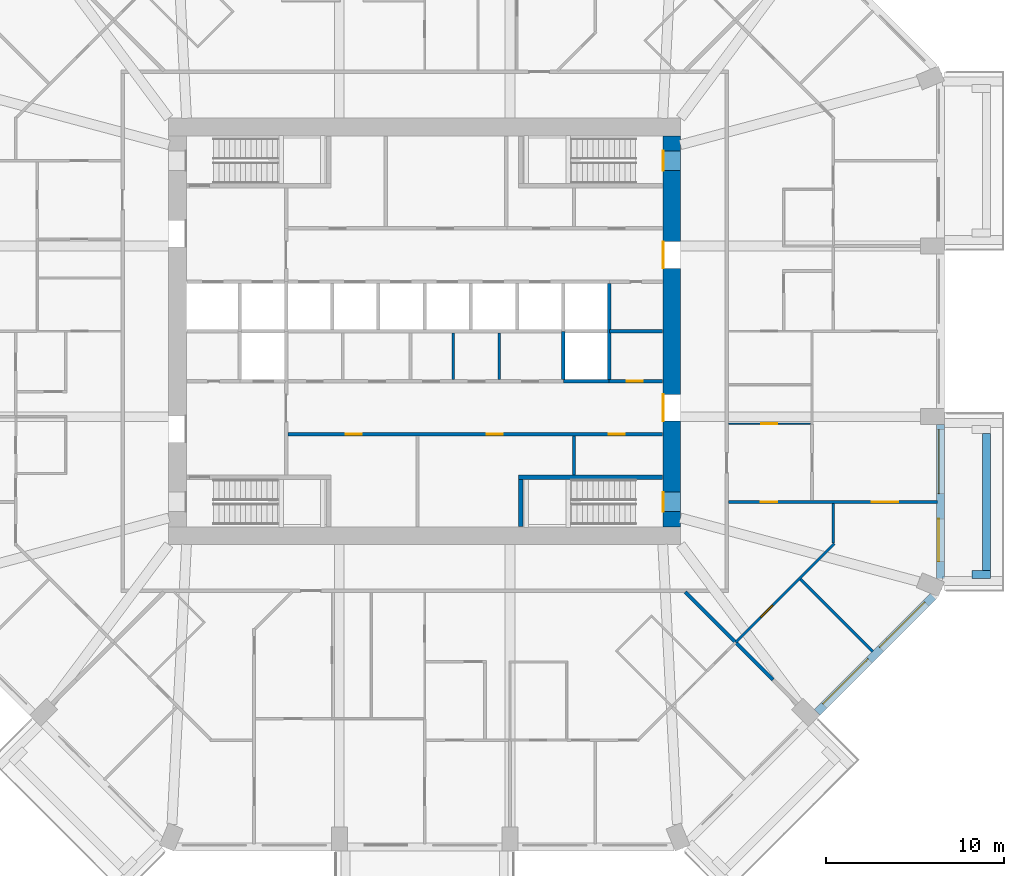
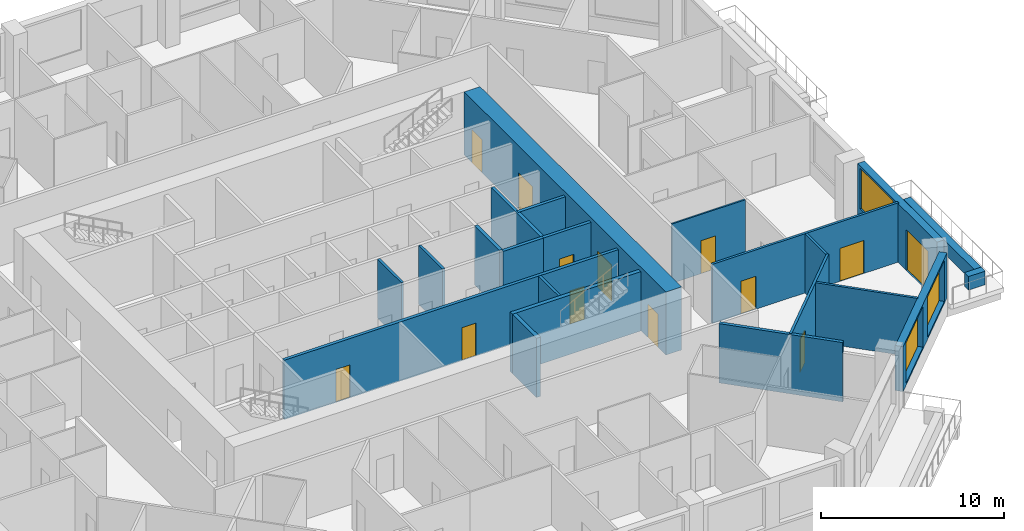
# One storey, part 6 of 13: 22 walls, 13 doors, 3 windows, 16 openings.
"""IFC4 building model written with IfcOpenShell, lengths in metres."""

import ifcopenshell
import ifcopenshell.guid

model = None  # the IFC model being written
_history = None  # IfcOwnerHistory: only IFC2X3 demands one
_inside = {}  # id of a spatial element -> (the spatial element, [elements in it])
_under = {}  # id of a project, library or spatial element -> (it, [spatial elements below it])
_declared = {}  # id of a project -> (the project, [libraries it declares])
_typed = {}  # id of a type object -> (the type object, [elements of that type])
_made_of = {}  # id of a material, layer set ... -> (it, [elements and type objects made of it])


def new_model(schema):
    """Start an empty IFC model of exactly this schema.

    Asked for "IFC4X3", IfcOpenShell would pick the latest addendum, in which some entities
    have other attributes; the version numbers below select the first issue.
    IFC2X3 requires an IfcOwnerHistory on every rooted entity: one is made here for all.
    """
    global model, _history
    if schema == "IFC4X3":
        model = ifcopenshell.file(schema_version=(4, 3, 0, 0))
    else:
        model = ifcopenshell.file(schema=schema)
    _inside.clear()
    _under.clear()
    _declared.clear()
    _typed.clear()
    _made_of.clear()
    _history = None
    if model.schema == "IFC2X3":
        org = make("IfcOrganization", Name="unknown")
        user = make(
            "IfcPersonAndOrganization",
            ThePerson=make("IfcPerson", FamilyName="unknown"),
            TheOrganization=org,
        )
        app = make(
            "IfcApplication",
            ApplicationDeveloper=org,
            Version="unknown",
            ApplicationFullName="unknown",
            ApplicationIdentifier="unknown",
        )
        _history = make(
            "IfcOwnerHistory",
            OwningUser=user,
            OwningApplication=app,
            ChangeAction="ADDED",
            CreationDate=0,
        )
    return model


def make(cls, **values):
    """One entity of the class cls with the attributes given. An attribute that is None is left unset."""
    return model.create_entity(
        cls, **{name: value for name, value in values.items() if value is not None}
    )


def rooted(cls, **values):
    """An entity with a GlobalId (a new one), such as an element, a storey or a relation."""
    return make(cls, GlobalId=ifcopenshell.guid.new(), OwnerHistory=_history, **values)


def si_unit(unit_type, name, prefix=None):
    """IfcSIUnit, for example si_unit("LENGTHUNIT", "METRE", prefix="MILLI")."""
    return make("IfcSIUnit", UnitType=unit_type, Prefix=prefix, Name=name)


def assignment(units):
    """IfcUnitAssignment: the units of a project."""
    return None if units is None else make("IfcUnitAssignment", Units=units)


def point(xyz):
    """IfcCartesianPoint."""
    return None if xyz is None else make("IfcCartesianPoint", Coordinates=xyz)


def direction(xyz):
    """IfcDirection."""
    return None if xyz is None else make("IfcDirection", DirectionRatios=xyz)


def frame(location, z_axis=None, x_axis=None):
    """IfcAxis2Placement3D, a coordinate frame: its origin and axes. An axis left out is left unset."""
    return make(
        "IfcAxis2Placement3D",
        Location=point(location),
        Axis=direction(z_axis),
        RefDirection=direction(x_axis),
    )


def frame_2d(location, x_axis=None):
    """IfcAxis2Placement2D, a coordinate frame in the plane: its origin and x axis."""
    return make(
        "IfcAxis2Placement2D", Location=point(location), RefDirection=direction(x_axis)
    )


def origin():
    """The frame at (0, 0, 0) with its axes left unset."""
    return frame((0.0, 0.0, 0.0))


def place(relative_to, where):
    """IfcLocalPlacement: puts the frame where relative to a parent placement (None: the world)."""
    return make(
        "IfcLocalPlacement", PlacementRelTo=relative_to, RelativePlacement=where
    )


def context(
    kind, dimensions, precision=None, world=None, true_north=None, identifier=None
):
    """IfcGeometricRepresentationContext, for example the 3D "Model" context."""
    return make(
        "IfcGeometricRepresentationContext",
        ContextIdentifier=identifier,
        ContextType=kind,
        CoordinateSpaceDimension=dimensions,
        Precision=precision,
        WorldCoordinateSystem=world,
        TrueNorth=true_north,
    )


def subcontext(parent, identifier, kind, view, scale=None):
    """IfcGeometricRepresentationSubContext, for example "Body" below "Model"."""
    return make(
        "IfcGeometricRepresentationSubContext",
        ContextIdentifier=identifier,
        ContextType=kind,
        ParentContext=parent,
        TargetScale=scale,
        TargetView=view,
    )


def project(units=None, contexts=None):
    """IfcProject with its units and contexts."""
    return rooted(
        "IfcProject",
        Name="project",
        RepresentationContexts=contexts,
        UnitsInContext=assignment(units),
    )


def spatial(cls, under=None, at=None, **own):
    """A site, building, storey or space (cls), placed at a placement, below another one or the project."""
    s = rooted(cls, ObjectPlacement=at, **own)
    if under is not None:
        _under.setdefault(under.id(), (under, []))[1].append(s)
    return s


def profile(cls, at=None, kind="AREA", **sizes):
    """A parametric profile (cls). Its sizes go by their IFC names, for example OverallWidth=200.0."""
    return make(cls, ProfileType=kind, Position=at, **sizes)


def rectangle(**sizes):
    """IfcRectangleProfileDef."""
    return profile("IfcRectangleProfileDef", **sizes)


def extrude(swept, where, along, depth):
    """IfcExtrudedAreaSolid: the profile swept, set in the frame where, extruded along a direction by depth."""
    return make(
        "IfcExtrudedAreaSolid",
        SweptArea=swept,
        Position=where,
        ExtrudedDirection=direction(along),
        Depth=depth,
    )


def shape(context_of_items, identifier, shape_type, items):
    """IfcShapeRepresentation: the items that make up one representation, for example the "Body"."""
    return make(
        "IfcShapeRepresentation",
        ContextOfItems=context_of_items,
        RepresentationIdentifier=identifier,
        RepresentationType=shape_type,
        Items=items,
    )


def material(Name=None, Category=None):
    """IfcMaterial."""
    return make("IfcMaterial", Name=Name, Category=Category)


def layer(
    of_material, thickness, ventilated=None, Name=None, Category=None, Priority=None
):
    """IfcMaterialLayer: one layer of a wall or slab, of a material (None: an air gap)."""
    return make(
        "IfcMaterialLayer",
        Material=of_material,
        LayerThickness=thickness,
        IsVentilated=ventilated,
        Name=Name,
        Category=Category,
        Priority=Priority,
    )


def layer_set(layers, Name=None):
    """IfcMaterialLayerSet."""
    return make("IfcMaterialLayerSet", MaterialLayers=layers, LayerSetName=Name)


def made_of(thing, what):
    """Note that an element or type object is made of a material, layer set ...; save() writes the relation."""
    if what is not None:
        _made_of.setdefault(what.id(), (what, []))[1].append(thing)
    return thing


def type_object(cls, material=None, **own):
    """A type object (cls), such as IfcWallType, which elements share."""
    return made_of(rooted(cls, **own), material)


def element(
    cls,
    number,
    at=None,
    inside=None,
    cuts=None,
    type_object=None,
    material=None,
    context=None,
    identifier="Body",
    shape_type=None,
    held_by="IfcProductDefinitionShape",
    body=None,
    shapes=None,
    **own,
):
    """One element of the class cls, such as IfcWall. Its Tag is "e" and its number.

    at: its placement. inside: the storey or other place that contains it. cuts: it is an
    opening in that element (IfcRelVoidsElement). A single representation is given by context,
    identifier, shape_type and body (its items); several are given by shapes. held_by: the class
    of the entity that holds the representations. save() writes the other relations.
    """
    e = rooted(cls, Tag="e%d" % number, ObjectPlacement=at, **own)
    if body is not None:
        shapes = [shape(context, identifier, shape_type, body)]
    if shapes is not None:
        e.Representation = make(held_by, Representations=shapes)
    if inside is not None:
        _inside.setdefault(inside.id(), (inside, []))[1].append(e)
    if cuts is not None:
        rooted(
            "IfcRelVoidsElement", RelatingBuildingElement=cuts, RelatedOpeningElement=e
        )
    if type_object is not None:
        _typed.setdefault(type_object.id(), (type_object, []))[1].append(e)
    return made_of(e, material)


def fill(opening, filler):
    """IfcRelFillsElement: the door or window that sits in an opening."""
    return rooted(
        "IfcRelFillsElement",
        RelatingOpeningElement=opening,
        RelatedBuildingElement=filler,
    )


def aggregate(whole, parts):
    """IfcRelAggregates: a whole, such as a stair, and the parts it consists of."""
    return rooted("IfcRelAggregates", RelatingObject=whole, RelatedObjects=parts)


def save(model, path):
    """Write the relations noted so far, then the file.

    IfcRelAggregates (storeys below a building ...), IfcRelContainedInSpatialStructure (elements
    in a storey), IfcRelDefinesByType, IfcRelAssociatesMaterial and IfcRelDeclares: one each for
    every whole, place, type object, material and project.
    """
    for whole, parts in _under.values():
        aggregate(whole, parts)
    for where, things in _inside.values():
        rooted(
            "IfcRelContainedInSpatialStructure",
            RelatedElements=things,
            RelatingStructure=where,
        )
    for kind, things in _typed.values():
        rooted("IfcRelDefinesByType", RelatedObjects=things, RelatingType=kind)
    for what, things in _made_of.values():
        rooted("IfcRelAssociatesMaterial", RelatedObjects=things, RelatingMaterial=what)
    for by, libraries in _declared.values():
        rooted("IfcRelDeclares", RelatingContext=by, RelatedDefinitions=libraries)
    model.write(path)


model = new_model("IFC4")

# Units and contexts
model_context = context("Model", 3, precision=1e-05, world=origin(), true_north=direction((0.0, 1.0)))
body_context = subcontext(model_context, "Body", "Model", "MODEL_VIEW")
ifc_project = project(units=[si_unit("LENGTHUNIT", "METRE"), si_unit("AREAUNIT", "SQUARE_METRE"), si_unit("VOLUMEUNIT", "CUBIC_METRE"), si_unit("PLANEANGLEUNIT", "RADIAN"), si_unit("MASSUNIT", "GRAM", prefix="KILO")], contexts=[model_context])

# Site, building, storey
site_placement = place(None, origin())
site = spatial("IfcSite", under=ifc_project, at=site_placement, CompositionType="ELEMENT")
building_placement = place(site_placement, origin())
building = spatial("IfcBuilding", under=site, at=building_placement, Name="Msitu Wima Residences", CompositionType="ELEMENT")
storey_placement = place(building_placement, frame((0.0, 0.0, 25.5)))
storey = spatial("IfcBuildingStorey", under=building, at=storey_placement, Name="L05", CompositionType="ELEMENT", Elevation=25.5)

# Walls
ifc_material_1 = material(Name="Facing brick")
ifc_layer_1 = layer(ifc_material_1, 0.06494140625, Name="Facing brick")
ifc_material_2 = material(Name="Concrete C40/50", Category="concrete")
ifc_layer_2 = layer(ifc_material_2, 0.156005859375, Name="Concrete C40/50")
ifc_material_3 = material(Name="Waterproofing membrane")
ifc_layer_3 = layer(ifc_material_3, 0.00390625, Name="Waterproofing membrane")
ifc_material_4 = material(Name="Planting soil and planting")
ifc_layer_4 = layer(ifc_material_4, 0.22509765625, Name="Planting soil and planting")
ifc_layer_set_1 = layer_set([ifc_layer_1, ifc_layer_2, ifc_layer_3, ifc_layer_4], Name="Concrete C40/50")
wall_type_1 = type_object("IfcWallType", Name="Balcony planter PLANTER PL450", PredefinedType="USERDEFINED", material=ifc_layer_set_1)
wall_1_placement = place(storey_placement, frame((31.625, -13.449951171875, 0.0), z_axis=(0.0, 0.0, 1.0), x_axis=(0.0, 1.0, 0.0)))
element("IfcWall", 1, at=wall_1_placement, inside=storey, type_object=wall_type_1, Name="Balcony planter E0 L05", ObjectType="PLANTER", PredefinedType="USERDEFINED", context=body_context, shape_type="SweptSolid", body=[
    extrude(rectangle(XDim=7.699951171875, YDim=0.449951171875, at=frame_2d((3.85009765625, 0.0))), origin(), (0.0, 0.0, 1.0), 0.89990234375),
])
wall_2_placement = place(storey_placement, frame((30.800048828125, -13.675048828125, 0.0), z_axis=(0.0, 0.0, 1.0), x_axis=(1.0, 0.0, 0.0)))
element("IfcWall", 2, at=wall_2_placement, inside=storey, type_object=wall_type_1, Name="Balcony planter E0 L05", ObjectType="PLANTER", PredefinedType="USERDEFINED", context=body_context, shape_type="SweptSolid", body=[
    extrude(rectangle(XDim=1.050048828125, YDim=0.449951171875, at=frame_2d((0.52490234375, 0.0))), origin(), (0.0, 0.0, 1.0), 0.89990234375),
])

# Wall, openings, door, window
ifc_material_5 = material(Name="Brick (red buff mix)", Category="masonry")
ifc_layer_5 = layer(ifc_material_5, 0.449951171875)
ifc_layer_set_2 = layer_set([ifc_layer_5], Name="Brick (red buff mix)")
wall_type_2 = type_object("IfcWallType", Name="Brick infill wall BW450", PredefinedType="SOLIDWALL", material=ifc_layer_set_2)
wall_3_placement = place(storey_placement, frame((29.02490234375, -13.912841796875, 0.0), z_axis=(0.0, 0.0, 1.0), x_axis=(0.0, 1.0, 0.0)))
wall_3 = element("IfcWall", 3, at=wall_3_placement, inside=storey, type_object=wall_type_2, Name="Brick infill wall L05 E0", PredefinedType="SOLIDWALL", context=body_context, shape_type="SweptSolid", body=[
    extrude(rectangle(XDim=8.662841796875, YDim=0.449951171875, at=frame_2d((4.33154296875, 0.0))), origin(), (0.0, 0.0, 1.0), 3.89990234375),
])
opening_1_placement = place(wall_3_placement, frame((0.9658203125, 0.0, 0.0)))
opening_1 = element("IfcOpeningElement", 4, at=opening_1_placement, cuts=wall_3, Name="Opening D05-07.001", PredefinedType="OPENING", context=body_context, shape_type="SweptSolid", body=[
    extrude(rectangle(XDim=2.39990234375, YDim=2.699951171875, at=frame_2d((1.199951171875, 1.35009765625))), frame((0.0, 0.23486328125, 0.0), z_axis=(0.0, -1.0, 0.0), x_axis=(1.0, 0.0, 0.0)), (0.0, 0.0, 1.0), 0.469970703125),
])
opening_2_placement = place(wall_3_placement, frame((4.781494140625, 0.0, 1.050048828125)))
opening_2 = element("IfcOpeningElement", 5, at=opening_2_placement, cuts=wall_3, Name="Opening W05-07.001", PredefinedType="OPENING", context=body_context, shape_type="SweptSolid", body=[
    extrude(rectangle(XDim=3.60009765625, YDim=2.699951171875, at=frame_2d((1.800048828125, 1.35009765625))), frame((0.0, 0.23486328125, 0.0), z_axis=(0.0, -1.0, 0.0), x_axis=(1.0, 0.0, 0.0)), (0.0, 0.0, 1.0), 0.469970703125),
])
ifc_material_6 = material(Name="Anodised aluminium, bronze finish, clear low-emissivity double glazing", Category="aluminium")
door_type_1 = type_object("IfcDoorType", Name="Balcony door D2400x2700", OperationType="SLIDING_TO_LEFT", PredefinedType="DOOR", material=ifc_material_6)
door_1_placement = place(opening_1_placement, origin())
door_1 = element("IfcDoor", 6, at=door_1_placement, inside=storey, type_object=door_type_1, Name="Balcony door L05 E0", OperationType="SINGLE_SWING_LEFT", OverallHeight=2.699951171875, OverallWidth=2.39990234375, PredefinedType="DOOR", context=body_context, shape_type="SweptSolid", body=[
    extrude(rectangle(XDim=2.39990234375, YDim=2.699951171875, at=frame_2d((1.199951171875, 1.35009765625))), frame((0.0, 0.1298828125, 0.0), z_axis=(0.0, -1.0, 0.0), x_axis=(1.0, 0.0, 0.0)), (0.0, 0.0, 1.0), 0.050048828125),
])
fill(opening_1, door_1)
window_type = type_object("IfcWindowType", Name="Window W3600x2700", PartitioningType="DOUBLE_PANEL_VERTICAL", PredefinedType="WINDOW", material=ifc_material_6)
window_1_placement = place(opening_2_placement, origin())
window_1 = element("IfcWindow", 7, at=window_1_placement, inside=storey, type_object=window_type, Name="Window L05 E0.2", OverallHeight=2.699951171875, OverallWidth=3.60009765625, PartitioningType="SINGLE_PANEL", PredefinedType="WINDOW", context=body_context, shape_type="SweptSolid", body=[
    extrude(rectangle(XDim=3.60009765625, YDim=2.699951171875, at=frame_2d((1.800048828125, 1.35009765625))), frame((0.0, 0.135009765625, 0.0), z_axis=(0.0, -1.0, 0.0), x_axis=(1.0, 0.0, 0.0)), (0.0, 0.0, 1.0), 0.06005859375),
])
fill(opening_2, window_1)

# Wall, openings, windows
wall_4_placement = place(storey_placement, frame((22.077392578125, -21.44091796875, 0.89990234375), z_axis=(0.0, 0.0, 1.0), x_axis=(0.707106781187, 0.707106781187, 0.0)))
wall_4 = element("IfcWall", 8, at=wall_4_placement, inside=storey, type_object=wall_type_2, Name="Brick infill wall L05 SE1", PredefinedType="SOLIDWALL", context=body_context, shape_type="SweptSolid", body=[
    extrude(rectangle(XDim=9.2451171875, YDim=0.449951171875, at=frame_2d((4.62255859375, 0.0))), origin(), (0.0, 0.0, 1.0), 3.0),
])
opening_3_placement = place(wall_4_placement, frame((0.572509765625, 0.0, 0.14990234375)))
opening_3 = element("IfcOpeningElement", 9, at=opening_3_placement, cuts=wall_4, Name="Opening W05-07.022", PredefinedType="OPENING", context=body_context, shape_type="SweptSolid", body=[
    extrude(rectangle(XDim=3.60009765625, YDim=2.699951171875, at=frame_2d((1.800048828125, 1.35009765625))), frame((0.0, 0.23486328125, 0.0), z_axis=(0.0, -1.0, 0.0), x_axis=(1.0, 0.0, 0.0)), (0.0, 0.0, 1.0), 0.469970703125),
])
opening_4_placement = place(wall_4_placement, frame((5.072509765625, 0.0, 0.14990234375)))
opening_4 = element("IfcOpeningElement", 10, at=opening_4_placement, cuts=wall_4, Name="Opening W05-07.023", PredefinedType="OPENING", context=body_context, shape_type="SweptSolid", body=[
    extrude(rectangle(XDim=3.60009765625, YDim=2.699951171875, at=frame_2d((1.800048828125, 1.35009765625))), frame((0.0, 0.23486328125, 0.0), z_axis=(0.0, -1.0, 0.0), x_axis=(1.0, 0.0, 0.0)), (0.0, 0.0, 1.0), 0.469970703125),
])
window_2_placement = place(opening_3_placement, origin())
window_2 = element("IfcWindow", 11, at=window_2_placement, inside=storey, type_object=window_type, Name="Window L05 SE1.1", OverallHeight=2.699951171875, OverallWidth=3.60009765625, PartitioningType="SINGLE_PANEL", PredefinedType="WINDOW", context=body_context, shape_type="SweptSolid", body=[
    extrude(rectangle(XDim=3.60009765625, YDim=2.699951171875, at=frame_2d((1.800048828125, 1.35009765625))), frame((0.0, 0.135009765625, 0.0), z_axis=(0.0, -1.0, 0.0), x_axis=(1.0, 0.0, 0.0)), (0.0, 0.0, 1.0), 0.06005859375),
])
fill(opening_3, window_2)
window_3_placement = place(opening_4_placement, origin())
window_3 = element("IfcWindow", 12, at=window_3_placement, inside=storey, type_object=window_type, Name="Window L05 SE1.2", OverallHeight=2.699951171875, OverallWidth=3.60009765625, PartitioningType="SINGLE_PANEL", PredefinedType="WINDOW", context=body_context, shape_type="SweptSolid", body=[
    extrude(rectangle(XDim=3.60009765625, YDim=2.699951171875, at=frame_2d((1.800048828125, 1.35009765625))), frame((0.0, 0.135009765625, 0.0), z_axis=(0.0, -1.0, 0.0), x_axis=(1.0, 0.0, 0.0)), (0.0, 0.0, 1.0), 0.06005859375),
])
fill(opening_4, window_3)

# Wall, openings, doors
ifc_material_7 = material(Name="Concrete C80/95", Category="concrete")
ifc_layer_6 = layer(ifc_material_7, 1.0)
ifc_layer_set_3 = layer_set([ifc_layer_6], Name="Concrete C80/95")
wall_type_3 = type_object("IfcWallType", Name="Core wall CW1000 C80/95", PredefinedType="SHEAR", material=ifc_layer_set_3)
wall_5_placement = place(storey_placement, frame((13.89990234375, -11.0, 0.0), z_axis=(0.0, 0.0, 1.0), x_axis=(0.0, 1.0, 0.0)))
wall_5 = element("IfcWall", 13, at=wall_5_placement, inside=storey, type_object=wall_type_3, Name="Core wall", PredefinedType="SHEAR", context=body_context, shape_type="SweptSolid", body=[
    extrude(rectangle(XDim=22.0, YDim=1.0, at=frame_2d((11.0, 0.0))), origin(), (0.0, 0.0, 1.0), 4.199951171875),
])
opening_5_placement = place(wall_5_placement, frame((20.050048828125, 0.0, 0.0)))
opening_5 = element("IfcOpeningElement", 14, at=opening_5_placement, cuts=wall_5, Name="Opening D05-07.040", PredefinedType="OPENING", context=body_context, shape_type="SweptSolid", body=[
    extrude(rectangle(XDim=1.10009765625, YDim=2.199951171875, at=frame_2d((0.550048828125, 1.10009765625))), frame((0.0, 0.510009765625, 0.0), z_axis=(0.0, -1.0, 0.0), x_axis=(1.0, 0.0, 0.0)), (0.0, 0.0, 1.0), 1.02001953125),
])
opening_6_placement = place(wall_5_placement, frame((0.85009765625, 0.0, 0.0)))
opening_6 = element("IfcOpeningElement", 15, at=opening_6_placement, cuts=wall_5, Name="Opening D05-07.041", PredefinedType="OPENING", context=body_context, shape_type="SweptSolid", body=[
    extrude(rectangle(XDim=1.10009765625, YDim=2.199951171875, at=frame_2d((0.550048828125, 1.10009765625))), frame((0.0, 0.510009765625, 0.0), z_axis=(0.0, -1.0, 0.0), x_axis=(1.0, 0.0, 0.0)), (0.0, 0.0, 1.0), 1.02001953125),
])
opening_7_placement = place(wall_5_placement, frame((14.550048828125, 0.0, 0.0)))
opening_7 = element("IfcOpeningElement", 16, at=opening_7_placement, cuts=wall_5, Name="Opening D05-07.027", PredefinedType="OPENING", context=body_context, shape_type="SweptSolid", body=[
    extrude(rectangle(XDim=1.5, YDim=2.39990234375, at=frame_2d((0.75, 1.199951171875))), frame((0.0, 0.510009765625, 0.0), z_axis=(0.0, -1.0, 0.0), x_axis=(1.0, 0.0, 0.0)), (0.0, 0.0, 1.0), 1.02001953125),
])
opening_8_placement = place(wall_5_placement, frame((5.949951171875, 0.0, 0.0)))
opening_8 = element("IfcOpeningElement", 17, at=opening_8_placement, cuts=wall_5, Name="Opening D05-07.028", PredefinedType="OPENING", context=body_context, shape_type="SweptSolid", body=[
    extrude(rectangle(XDim=1.5, YDim=2.39990234375, at=frame_2d((0.75, 1.199951171875))), frame((0.0, 0.510009765625, 0.0), z_axis=(0.0, -1.0, 0.0), x_axis=(1.0, 0.0, 0.0)), (0.0, 0.0, 1.0), 1.02001953125),
])
ifc_material_8 = material(Name="Steel framed glazed door, fire resisting", Category="steel")
door_type_2 = type_object("IfcDoorType", Name="Lobby door D07 1500x2400", OperationType="DOUBLE_DOOR_SINGLE_SWING", PredefinedType="DOOR", material=ifc_material_8)
door_2_placement = place(opening_7_placement, origin())
door_2 = element("IfcDoor", 18, at=door_2_placement, inside=storey, type_object=door_type_2, Name="Lobby door", OperationType="DOUBLE_DOOR_SINGLE_SWING", OverallHeight=2.39990234375, OverallWidth=1.5, PredefinedType="DOOR", context=body_context, shape_type="SweptSolid", body=[
    extrude(rectangle(XDim=1.5, YDim=2.39990234375, at=frame_2d((0.75, 1.199951171875))), frame((0.0, 0.4951171875, 0.0), z_axis=(0.0, -1.0, 0.0), x_axis=(1.0, 0.0, 0.0)), (0.0, 0.0, 1.0), 0.050048828125),
])
fill(opening_7, door_2)
door_3_placement = place(opening_8_placement, origin())
door_3 = element("IfcDoor", 19, at=door_3_placement, inside=storey, type_object=door_type_2, Name="Lobby door", OperationType="DOUBLE_DOOR_SINGLE_SWING", OverallHeight=2.39990234375, OverallWidth=1.5, PredefinedType="DOOR", context=body_context, shape_type="SweptSolid", body=[
    extrude(rectangle(XDim=1.5, YDim=2.39990234375, at=frame_2d((0.75, 1.199951171875))), frame((0.0, 0.4951171875, 0.0), z_axis=(0.0, -1.0, 0.0), x_axis=(1.0, 0.0, 0.0)), (0.0, 0.0, 1.0), 0.050048828125),
])
fill(opening_8, door_3)
ifc_material_9 = material(Name="Steel door, fire resisting, panic bar", Category="steel")
door_type_3 = type_object("IfcDoorType", Name="Stair door D06 1100x2200", OperationType="SINGLE_SWING_LEFT", PredefinedType="DOOR", material=ifc_material_9)
door_4_placement = place(opening_5_placement, origin())
door_4 = element("IfcDoor", 20, at=door_4_placement, inside=storey, type_object=door_type_3, Name="Stair door", OperationType="SINGLE_SWING_LEFT", OverallHeight=2.199951171875, OverallWidth=1.10009765625, PredefinedType="DOOR", context=body_context, shape_type="SweptSolid", body=[
    extrude(rectangle(XDim=1.10009765625, YDim=2.199951171875, at=frame_2d((0.550048828125, 1.10009765625))), frame((0.0, 0.4951171875, 0.0), z_axis=(0.0, -1.0, 0.0), x_axis=(1.0, 0.0, 0.0)), (0.0, 0.0, 1.0), 0.050048828125),
])
fill(opening_5, door_4)
door_5_placement = place(opening_6_placement, origin())
door_5 = element("IfcDoor", 21, at=door_5_placement, inside=storey, type_object=door_type_3, Name="Stair door", OperationType="SINGLE_SWING_RIGHT", OverallHeight=2.199951171875, OverallWidth=1.10009765625, PredefinedType="DOOR", context=body_context, shape_type="SweptSolid", body=[
    extrude(rectangle(XDim=1.10009765625, YDim=2.199951171875, at=frame_2d((0.550048828125, 1.10009765625))), frame((0.0, 0.4951171875, 0.0), z_axis=(0.0, -1.0, 0.0), x_axis=(1.0, 0.0, 0.0)), (0.0, 0.0, 1.0), 0.050048828125),
])
fill(opening_6, door_5)

ifc_material_10 = material(Name="Plaster")
ifc_layer_7 = layer(ifc_material_10, 0.011962890625, Name="Plaster")
ifc_material_11 = material(Name="Concrete blockwork", Category="masonry")
ifc_layer_8 = layer(ifc_material_11, 0.176025390625, Name="Concrete blockwork")
ifc_layer_9 = layer(ifc_material_10, 0.011962890625, Name="Plaster")
ifc_layer_set_4 = layer_set([ifc_layer_7, ifc_layer_8, ifc_layer_9], Name="Concrete blockwork")
wall_type_4 = type_object("IfcWallType", Name="Corridor wall FW200", PredefinedType="PARTITIONING", material=ifc_layer_set_4)
wall_6_placement = place(storey_placement, frame((-7.699951171875, -5.800048828125, 0.0), z_axis=(0.0, 0.0, 1.0), x_axis=(1.0, 0.0, 0.0)))
wall_6 = element("IfcWall", 22, at=wall_6_placement, inside=storey, type_object=wall_type_4, Name="Corridor wall", PredefinedType="PARTITIONING", context=body_context, shape_type="SweptSolid", body=[
    extrude(rectangle(XDim=21.070068359375, YDim=0.199951171875, at=frame_2d((10.53515625, 0.0))), origin(), (0.0, 0.0, 1.0), 3.949951171875),
])
opening_9_placement = place(wall_6_placement, frame((3.25, 0.0, 0.0)))
opening_9 = element("IfcOpeningElement", 23, at=opening_9_placement, cuts=wall_6, Name="Opening D05-07.024", PredefinedType="OPENING", context=body_context, shape_type="SweptSolid", body=[
    extrude(rectangle(XDim=0.89990234375, YDim=2.199951171875, at=frame_2d((0.449951171875, 1.10009765625))), frame((0.0, 0.10986328125, 0.0), z_axis=(0.0, -1.0, 0.0), x_axis=(1.0, 0.0, 0.0)), (0.0, 0.0, 1.0), 0.219970703125),
])
opening_10_placement = place(wall_6_placement, frame((11.199951171875, 0.0, 0.0)))
opening_10 = element("IfcOpeningElement", 24, at=opening_10_placement, cuts=wall_6, Name="Opening D05-07.025", PredefinedType="OPENING", context=body_context, shape_type="SweptSolid", body=[
    extrude(rectangle(XDim=0.89990234375, YDim=2.199951171875, at=frame_2d((0.449951171875, 1.10009765625))), frame((0.0, 0.10986328125, 0.0), z_axis=(0.0, -1.0, 0.0), x_axis=(1.0, 0.0, 0.0)), (0.0, 0.0, 1.0), 0.219970703125),
])
opening_11_placement = place(wall_6_placement, frame((18.050048828125, 0.0, 0.0)))
opening_11 = element("IfcOpeningElement", 25, at=opening_11_placement, cuts=wall_6, Name="Opening D05-07.026", PredefinedType="OPENING", context=body_context, shape_type="SweptSolid", body=[
    extrude(rectangle(XDim=0.89990234375, YDim=2.199951171875, at=frame_2d((0.449951171875, 1.10009765625))), frame((0.0, 0.10986328125, 0.0), z_axis=(0.0, -1.0, 0.0), x_axis=(1.0, 0.0, 0.0)), (0.0, 0.0, 1.0), 0.219970703125),
])
ifc_material_12 = material(Name="Timber flush door", Category="wood")
door_type_4 = type_object("IfcDoorType", Name="Service door D05 900x2200", OperationType="SINGLE_SWING_LEFT", PredefinedType="DOOR", material=ifc_material_12)
door_6_placement = place(opening_9_placement, origin())
door_6 = element("IfcDoor", 26, at=door_6_placement, inside=storey, type_object=door_type_4, Name="Service door", OperationType="SINGLE_SWING_RIGHT", OverallHeight=2.199951171875, OverallWidth=0.89990234375, PredefinedType="DOOR", context=body_context, shape_type="SweptSolid", body=[
    extrude(rectangle(XDim=0.89990234375, YDim=2.199951171875, at=frame_2d((0.449951171875, 1.10009765625))), frame((0.0, 0.02490234375, 0.0), z_axis=(0.0, -1.0, 0.0), x_axis=(1.0, 0.0, 0.0)), (0.0, 0.0, 1.0), 0.050048828125),
])
fill(opening_9, door_6)
door_7_placement = place(opening_10_placement, origin())
door_7 = element("IfcDoor", 27, at=door_7_placement, inside=storey, type_object=door_type_4, Name="Service door", OperationType="SINGLE_SWING_LEFT", OverallHeight=2.199951171875, OverallWidth=0.89990234375, PredefinedType="DOOR", context=body_context, shape_type="SweptSolid", body=[
    extrude(rectangle(XDim=0.89990234375, YDim=2.199951171875, at=frame_2d((0.449951171875, 1.10009765625))), frame((0.0, 0.02490234375, 0.0), z_axis=(0.0, -1.0, 0.0), x_axis=(1.0, 0.0, 0.0)), (0.0, 0.0, 1.0), 0.050048828125),
])
fill(opening_10, door_7)
door_8_placement = place(opening_11_placement, origin())
door_8 = element("IfcDoor", 28, at=door_8_placement, inside=storey, type_object=door_type_4, Name="Service door", OperationType="SINGLE_SWING_RIGHT", OverallHeight=2.199951171875, OverallWidth=0.89990234375, PredefinedType="DOOR", context=body_context, shape_type="SweptSolid", body=[
    extrude(rectangle(XDim=0.89990234375, YDim=2.199951171875, at=frame_2d((0.449951171875, 1.10009765625))), frame((0.0, 0.02490234375, 0.0), z_axis=(0.0, -1.0, 0.0), x_axis=(1.0, 0.0, 0.0)), (0.0, 0.0, 1.0), 0.050048828125),
])
fill(opening_11, door_8)

# Walls
ifc_layer_10 = layer(ifc_material_10, 0.011962890625, Name="Plaster")
ifc_layer_11 = layer(ifc_material_11, 0.1259765625, Name="Concrete blockwork")
ifc_layer_12 = layer(ifc_material_10, 0.011962890625, Name="Plaster")
ifc_layer_set_5 = layer_set([ifc_layer_10, ifc_layer_11, ifc_layer_12], Name="Concrete blockwork")
wall_type_5 = type_object("IfcWallType", Name="Partition PW150", PredefinedType="PARTITIONING", material=ifc_layer_set_5)
for number, where, z_axis, x_axis, name in (
    (29, (1.60009765625, -2.699951171875, 0.0), (0.0, 0.0, 1.0), (0.0, 1.0, 0.0), "Partition"),
    (30, (4.199951171875, -2.699951171875, 0.0), (0.0, 0.0, 1.0), (0.0, 1.0, 0.0), "Partition"),
):
    element("IfcWall", number, at=place(storey_placement, frame(where, z_axis=z_axis, x_axis=x_axis)), inside=storey, type_object=wall_type_5, Name=name, PredefinedType="PARTITIONING", context=body_context, shape_type="SweptSolid", body=[
        extrude(rectangle(XDim=2.599853515625, YDim=0.14990234375, at=frame_2d((1.2998046875, 0.0))), origin(), (0.0, 0.0, 1.0), 3.949951171875),
    ])
wall_7_placement = place(storey_placement, frame((8.39990234375, -8.074951171875, 0.0), z_axis=(0.0, 0.0, 1.0), x_axis=(0.0, 1.0, 0.0)))
element("IfcWall", 31, at=wall_7_placement, inside=storey, type_object=wall_type_5, Name="Partition", PredefinedType="PARTITIONING", context=body_context, shape_type="SweptSolid", body=[
    extrude(rectangle(XDim=2.175048828125, YDim=0.14990234375, at=frame_2d((1.08740234375, 0.0))), origin(), (0.0, 0.0, 1.0), 3.949951171875),
])

# Wall, openings, doors
wall_8_placement = place(storey_placement, frame((17.10009765625, -9.60009765625, 0.0), z_axis=(0.0, 0.0, 1.0), x_axis=(1.0, 0.0, 0.0)))
wall_8 = element("IfcWall", 32, at=wall_8_placement, inside=storey, type_object=wall_type_5, Name="Partition", PredefinedType="PARTITIONING", context=body_context, shape_type="SweptSolid", body=[
    extrude(rectangle(XDim=11.7548828125, YDim=0.14990234375, at=frame_2d((5.87744140625, 0.0))), origin(), (0.0, 0.0, 1.0), 3.949951171875),
])
opening_12_placement = place(wall_8_placement, frame((1.800048828125, 0.0, 0.0)))
opening_12 = element("IfcOpeningElement", 33, at=opening_12_placement, cuts=wall_8, Name="Opening D05-07.042", PredefinedType="OPENING", context=body_context, shape_type="SweptSolid", body=[
    extrude(rectangle(XDim=0.949951171875, YDim=2.199951171875, at=frame_2d((0.47509765625, 1.10009765625))), frame((0.0, 0.0849609375, 0.0), z_axis=(0.0, -1.0, 0.0), x_axis=(1.0, 0.0, 0.0)), (0.0, 0.0, 1.0), 0.169921875),
])
opening_13_placement = place(wall_8_placement, frame((8.050048828125, 0.0, 0.0)))
opening_13 = element("IfcOpeningElement", 34, at=opening_13_placement, cuts=wall_8, Name="Opening D05-07.095", PredefinedType="OPENING", context=body_context, shape_type="SweptSolid", body=[
    extrude(rectangle(XDim=1.5, YDim=2.199951171875, at=frame_2d((0.75, 1.10009765625))), frame((0.0, 0.0849609375, 0.0), z_axis=(0.0, -1.0, 0.0), x_axis=(1.0, 0.0, 0.0)), (0.0, 0.0, 1.0), 0.169921875),
])
ifc_material_13 = material(Name="Timber double door", Category="wood")
door_type_5 = type_object("IfcDoorType", Name="Double door D04 1500x2200", OperationType="DOUBLE_DOOR_SINGLE_SWING", PredefinedType="DOOR", material=ifc_material_13)
door_9_placement = place(opening_13_placement, origin())
door_9 = element("IfcDoor", 35, at=door_9_placement, inside=storey, type_object=door_type_5, Name="Double door", OperationType="DOUBLE_DOOR_SINGLE_SWING", OverallHeight=2.199951171875, OverallWidth=1.5, PredefinedType="DOOR", context=body_context, shape_type="SweptSolid", body=[
    extrude(rectangle(XDim=1.5, YDim=2.199951171875, at=frame_2d((0.75, 1.10009765625))), frame((0.0, 0.02490234375, 0.0), z_axis=(0.0, -1.0, 0.0), x_axis=(1.0, 0.0, 0.0)), (0.0, 0.0, 1.0), 0.050048828125),
])
fill(opening_13, door_9)
door_type_6 = type_object("IfcDoorType", Name="Room door D12 950x2200", OperationType="SINGLE_SWING_LEFT", PredefinedType="DOOR", material=ifc_material_12)
door_10_placement = place(opening_12_placement, origin())
door_10 = element("IfcDoor", 36, at=door_10_placement, inside=storey, type_object=door_type_6, Name="Room door", OperationType="SINGLE_SWING_RIGHT", OverallHeight=2.199951171875, OverallWidth=0.949951171875, PredefinedType="DOOR", context=body_context, shape_type="SweptSolid", body=[
    extrude(rectangle(XDim=0.949951171875, YDim=2.199951171875, at=frame_2d((0.47509765625, 1.10009765625))), frame((0.0, 0.02490234375, 0.0), z_axis=(0.0, -1.0, 0.0), x_axis=(1.0, 0.0, 0.0)), (0.0, 0.0, 1.0), 0.050048828125),
])
fill(opening_12, door_10)

# Wall, opening, door
wall_9_placement = place(storey_placement, frame((17.498779296875, -17.498779296875, 0.0), z_axis=(0.0, 0.0, 1.0), x_axis=(0.707106781187, 0.707106781187, 0.0)))
wall_9 = element("IfcWall", 37, at=wall_9_placement, inside=storey, type_object=wall_type_5, Name="Partition", PredefinedType="PARTITIONING", context=body_context, shape_type="SweptSolid", body=[
    extrude(rectangle(XDim=7.854736328125, YDim=0.14990234375, at=frame_2d((3.92724609375, 0.0))), origin(), (0.0, 0.0, 1.0), 3.949951171875),
])
opening_14_placement = place(wall_9_placement, frame((2.0, 0.0, 0.0)))
opening_14 = element("IfcOpeningElement", 38, at=opening_14_placement, cuts=wall_9, Name="Opening D05-07.086", PredefinedType="OPENING", context=body_context, shape_type="SweptSolid", body=[
    extrude(rectangle(XDim=0.949951171875, YDim=2.199951171875, at=frame_2d((0.47509765625, 1.10009765625))), frame((0.0, 0.0849609375, 0.0), z_axis=(0.0, -1.0, 0.0), x_axis=(1.0, 0.0, 0.0)), (0.0, 0.0, 1.0), 0.169921875),
])
door_11_placement = place(opening_14_placement, origin())
door_11 = element("IfcDoor", 39, at=door_11_placement, inside=storey, type_object=door_type_6, Name="Room door", OperationType="SINGLE_SWING_RIGHT", OverallHeight=2.199951171875, OverallWidth=0.949951171875, PredefinedType="DOOR", context=body_context, shape_type="SweptSolid", body=[
    extrude(rectangle(XDim=0.949951171875, YDim=2.199951171875, at=frame_2d((0.47509765625, 1.10009765625))), frame((0.0, 0.02490234375, 0.0), z_axis=(0.0, -1.0, 0.0), x_axis=(1.0, 0.0, 0.0)), (0.0, 0.0, 1.0), 0.050048828125),
])
fill(opening_14, door_11)

# Walls
wall_10_placement = place(storey_placement, frame((21.15185546875, -13.951904296875, 0.0), z_axis=(0.0, 0.0, 1.0), x_axis=(0.707128010843, -0.707085550893, 0.0)))
element("IfcWall", 40, at=wall_10_placement, inside=storey, type_object=wall_type_5, Name="Partition", PredefinedType="PARTITIONING", context=body_context, shape_type="SweptSolid", body=[
    extrude(rectangle(XDim=5.75, YDim=0.14990234375, at=frame_2d((2.875, 0.0))), origin(), (0.0, 0.0, 1.0), 3.949951171875),
])
wall_11_placement = place(storey_placement, frame((23.0, -11.922607421875, 0.0), z_axis=(0.0, 0.0, 1.0), x_axis=(0.0, 1.0, 0.0)))
element("IfcWall", 41, at=wall_11_placement, inside=storey, type_object=wall_type_5, Name="Partition", PredefinedType="PARTITIONING", context=body_context, shape_type="SweptSolid", body=[
    extrude(rectangle(XDim=2.24755859375, YDim=0.14990234375, at=frame_2d((1.123779296875, 0.0))), origin(), (0.0, 0.0, 1.0), 3.949951171875),
])
ifc_layer_13 = layer(ifc_material_10, 0.011962890625, Name="Plaster")
ifc_material_14 = material(Name="Dense concrete blockwork", Category="masonry")
ifc_layer_14 = layer(ifc_material_14, 0.176025390625, Name="Dense concrete blockwork")
ifc_layer_15 = layer(ifc_material_10, 0.011962890625, Name="Plaster")
ifc_layer_set_6 = layer_set([ifc_layer_13, ifc_layer_14, ifc_layer_15], Name="Dense concrete blockwork")
wall_type_6 = type_object("IfcWallType", Name="Party wall PW200", PredefinedType="PARTITIONING", material=ifc_layer_set_6)
wall_12_placement = place(storey_placement, frame((14.670654296875, -14.670654296875, 0.0), z_axis=(0.0, 0.0, 1.0), x_axis=(0.707106781187, -0.707106781187, 0.0)))
element("IfcWall", 42, at=wall_12_placement, inside=storey, type_object=wall_type_6, Name="Party wall", PredefinedType="PARTITIONING", context=body_context, shape_type="SweptSolid", body=[
    extrude(rectangle(XDim=6.979248046875, YDim=0.199951171875, at=frame_2d((3.48974609375, 0.0))), origin(), (0.0, 0.0, 1.0), 3.949951171875),
])

# Wall, opening, door
ifc_layer_16 = layer(ifc_material_10, 0.011962890625, Name="Plaster")
ifc_material_15 = material(Name="Reinforced concrete blockwork", Category="masonry")
ifc_layer_17 = layer(ifc_material_15, 0.176025390625, Name="Reinforced concrete blockwork")
ifc_layer_18 = layer(ifc_material_10, 0.011962890625, Name="Plaster")
ifc_layer_set_7 = layer_set([ifc_layer_16, ifc_layer_17, ifc_layer_18], Name="Reinforced concrete blockwork")
wall_type_7 = type_object("IfcWallType", Name="Plant and riser wall PL200", PredefinedType="PARTITIONING", material=ifc_layer_set_7)
wall_13_placement = place(storey_placement, frame((10.3798828125, -2.800048828125, 0.0), z_axis=(0.0, 0.0, 1.0), x_axis=(1.0, 0.0, 0.0)))
wall_13 = element("IfcWall", 43, at=wall_13_placement, inside=storey, type_object=wall_type_7, Name="Plant and riser wall", PredefinedType="PARTITIONING", context=body_context, shape_type="SweptSolid", body=[
    extrude(rectangle(XDim=2.990234375, YDim=0.199951171875, at=frame_2d((1.4951171875, 0.0))), origin(), (0.0, 0.0, 1.0), 3.949951171875),
])
opening_15_placement = place(wall_13_placement, frame((1.0, 0.0, 0.0)))
opening_15 = element("IfcOpeningElement", 44, at=opening_15_placement, cuts=wall_13, Name="Opening D05-07.015", PredefinedType="OPENING", context=body_context, shape_type="SweptSolid", body=[
    extrude(rectangle(XDim=0.89990234375, YDim=2.199951171875, at=frame_2d((0.449951171875, 1.10009765625))), frame((0.0, 0.10986328125, 0.0), z_axis=(0.0, -1.0, 0.0), x_axis=(1.0, 0.0, 0.0)), (0.0, 0.0, 1.0), 0.219970703125),
])
door_12_placement = place(opening_15_placement, origin())
door_12 = element("IfcDoor", 45, at=door_12_placement, inside=storey, type_object=door_type_4, Name="Service door", OperationType="SINGLE_SWING_LEFT", OverallHeight=2.199951171875, OverallWidth=0.89990234375, PredefinedType="DOOR", context=body_context, shape_type="SweptSolid", body=[
    extrude(rectangle(XDim=0.89990234375, YDim=2.199951171875, at=frame_2d((0.449951171875, 1.10009765625))), frame((0.0, 0.02490234375, 0.0), z_axis=(0.0, -1.0, 0.0), x_axis=(1.0, 0.0, 0.0)), (0.0, 0.0, 1.0), 0.050048828125),
])
fill(opening_15, door_12)

# Walls
wall_14_placement = place(storey_placement, frame((10.39990234375, 0.0, 0.0), z_axis=(0.0, 0.0, 1.0), x_axis=(1.0, 0.0, 0.0)))
element("IfcWall", 46, at=wall_14_placement, inside=storey, type_object=wall_type_7, Name="Plant and riser wall", PredefinedType="PARTITIONING", context=body_context, shape_type="SweptSolid", body=[
    extrude(rectangle(XDim=2.97021484375, YDim=0.199951171875, at=frame_2d((1.485107421875, 0.0))), origin(), (0.0, 0.0, 1.0), 3.949951171875),
])
ifc_material_16 = material(Name="Fire-rated board")
ifc_layer_19 = layer(ifc_material_16, 0.02490234375, Name="Fire-rated board")
ifc_material_17 = material(Name="Light-gauge stud framing with mineral wool")
ifc_layer_20 = layer(ifc_material_17, 0.14990234375, Name="Light-gauge stud framing with mineral wool")
ifc_layer_21 = layer(ifc_material_16, 0.02490234375, Name="Fire-rated board")
ifc_layer_set_8 = layer_set([ifc_layer_19, ifc_layer_20, ifc_layer_21], Name="Light-gauge stud framing with mineral wool")
wall_type_8 = type_object("IfcWallType", Name="Shaft wall SH200", PredefinedType="PARTITIONING", material=ifc_layer_set_8)
wall_15_placement = place(storey_placement, frame((7.800048828125, -2.699951171875, 0.0), z_axis=(0.0, 0.0, 1.0), x_axis=(0.0, 1.0, 0.0)))
element("IfcWall", 47, at=wall_15_placement, inside=storey, type_object=wall_type_8, Name="Shaft wall", PredefinedType="PARTITIONING", context=body_context, shape_type="SweptSolid", body=[
    extrude(rectangle(XDim=2.699951171875, YDim=0.199951171875, at=frame_2d((1.35009765625, 0.0))), origin(), (0.0, 0.0, 1.0), 3.949951171875),
])
wall_16_placement = place(storey_placement, frame((7.820068359375, -2.800048828125, 0.0), z_axis=(0.0, 0.0, 1.0), x_axis=(1.0, 0.0, 0.0)))
element("IfcWall", 48, at=wall_16_placement, inside=storey, type_object=wall_type_8, Name="Shaft wall", PredefinedType="PARTITIONING", context=body_context, shape_type="SweptSolid", body=[
    extrude(rectangle(XDim=2.559814453125, YDim=0.199951171875, at=frame_2d((1.27978515625, 0.0))), origin(), (0.0, 0.0, 1.0), 3.949951171875),
])
wall_17_placement = place(storey_placement, frame((10.39990234375, -2.699951171875, 0.0), z_axis=(0.0, 0.0, 1.0), x_axis=(0.0, 1.0, 0.0)))
element("IfcWall", 49, at=wall_17_placement, inside=storey, type_object=wall_type_8, Name="Shaft wall", PredefinedType="PARTITIONING", context=body_context, shape_type="SweptSolid", body=[
    extrude(rectangle(XDim=5.39990234375, YDim=0.199951171875, at=frame_2d((2.699951171875, 0.0))), origin(), (0.0, 0.0, 1.0), 3.949951171875),
])
ifc_material_18 = material(Name="Concrete C50/60", Category="concrete")
ifc_layer_22 = layer(ifc_material_18, 0.25)
ifc_layer_set_9 = layer_set([ifc_layer_22], Name="Concrete C50/60")
wall_type_9 = type_object("IfcWallType", Name="Stair enclosure wall SW250", PredefinedType="SHEAR", material=ifc_layer_set_9)
wall_18_placement = place(storey_placement, frame((5.39990234375, -10.969970703125, 0.0), z_axis=(0.0, 0.0, 1.0), x_axis=(0.0, 1.0, 0.0)))
element("IfcWall", 50, at=wall_18_placement, inside=storey, type_object=wall_type_9, Name="Stair enclosure wall", PredefinedType="SHEAR", context=body_context, shape_type="SweptSolid", body=[
    extrude(rectangle(XDim=2.64501953125, YDim=0.25, at=frame_2d((1.322509765625, 0.0))), origin(), (0.0, 0.0, 1.0), 3.949951171875),
])
wall_19_placement = place(storey_placement, frame((5.27490234375, -8.199951171875, 0.0), z_axis=(0.0, 0.0, 1.0), x_axis=(1.0, 0.0, 0.0)))
element("IfcWall", 51, at=wall_19_placement, inside=storey, type_object=wall_type_9, Name="Stair enclosure wall", PredefinedType="SHEAR", context=body_context, shape_type="SweptSolid", body=[
    extrude(rectangle(XDim=8.09521484375, YDim=0.25, at=frame_2d((4.047607421875, 0.0))), origin(), (0.0, 0.0, 1.0), 3.949951171875),
])

# Wall, opening, door
ifc_material_19 = material(Name="Ceramic tiles")
ifc_layer_23 = layer(ifc_material_19, 0.008056640625, Name="Ceramic tiles")
ifc_material_20 = material(Name="Moisture-resistant board")
ifc_layer_24 = layer(ifc_material_20, 0.012451171875, Name="Moisture-resistant board")
ifc_layer_25 = layer(ifc_material_17, 0.06689453125, Name="Light-gauge stud framing with mineral wool")
ifc_layer_26 = layer(ifc_material_20, 0.012451171875, Name="Moisture-resistant board")
ifc_layer_set_10 = layer_set([ifc_layer_23, ifc_layer_24, ifc_layer_25, ifc_layer_26], Name="Light-gauge stud framing with mineral wool")
wall_type_10 = type_object("IfcWallType", Name="Wet wall PW100", PredefinedType="PARTITIONING", material=ifc_layer_set_10)
wall_20_placement = place(storey_placement, frame((17.10009765625, -5.199951171875, 0.0), z_axis=(0.0, 0.0, 1.0), x_axis=(1.0, 0.0, 0.0)))
wall_20 = element("IfcWall", 52, at=wall_20_placement, inside=storey, type_object=wall_type_10, Name="Wet wall", PredefinedType="PARTITIONING", context=body_context, shape_type="SweptSolid", body=[
    extrude(rectangle(XDim=4.625, YDim=0.10009765625, at=frame_2d((2.3125, 0.0))), origin(), (0.0, 0.0, 1.0), 3.949951171875),
])
opening_16_placement = place(wall_20_placement, frame((1.85009765625, 0.0, 0.0)))
opening_16 = element("IfcOpeningElement", 53, at=opening_16_placement, cuts=wall_20, Name="Opening D05-07.064", PredefinedType="OPENING", context=body_context, shape_type="SweptSolid", body=[
    extrude(rectangle(XDim=0.89990234375, YDim=2.199951171875, at=frame_2d((0.449951171875, 1.10009765625))), frame((0.0, 0.06005859375, 0.0), z_axis=(0.0, -1.0, 0.0), x_axis=(1.0, 0.0, 0.0)), (0.0, 0.0, 1.0), 0.1201171875),
])
ifc_material_21 = material(Name="Timber flush door, moisture resistant", Category="wood")
door_type_7 = type_object("IfcDoorType", Name="Bathroom door D03 900x2200", OperationType="SINGLE_SWING_LEFT", PredefinedType="DOOR", material=ifc_material_21)
door_13_placement = place(opening_16_placement, origin())
door_13 = element("IfcDoor", 54, at=door_13_placement, inside=storey, type_object=door_type_7, Name="Bathroom door", OperationType="SINGLE_SWING_LEFT", OverallHeight=2.199951171875, OverallWidth=0.89990234375, PredefinedType="DOOR", context=body_context, shape_type="SweptSolid", body=[
    extrude(rectangle(XDim=0.89990234375, YDim=2.199951171875, at=frame_2d((0.449951171875, 1.10009765625))), frame((0.0, 0.02490234375, 0.0), z_axis=(0.0, -1.0, 0.0), x_axis=(1.0, 0.0, 0.0)), (0.0, 0.0, 1.0), 0.050048828125),
])
fill(opening_16, door_13)

save(model, "model.ifc")
